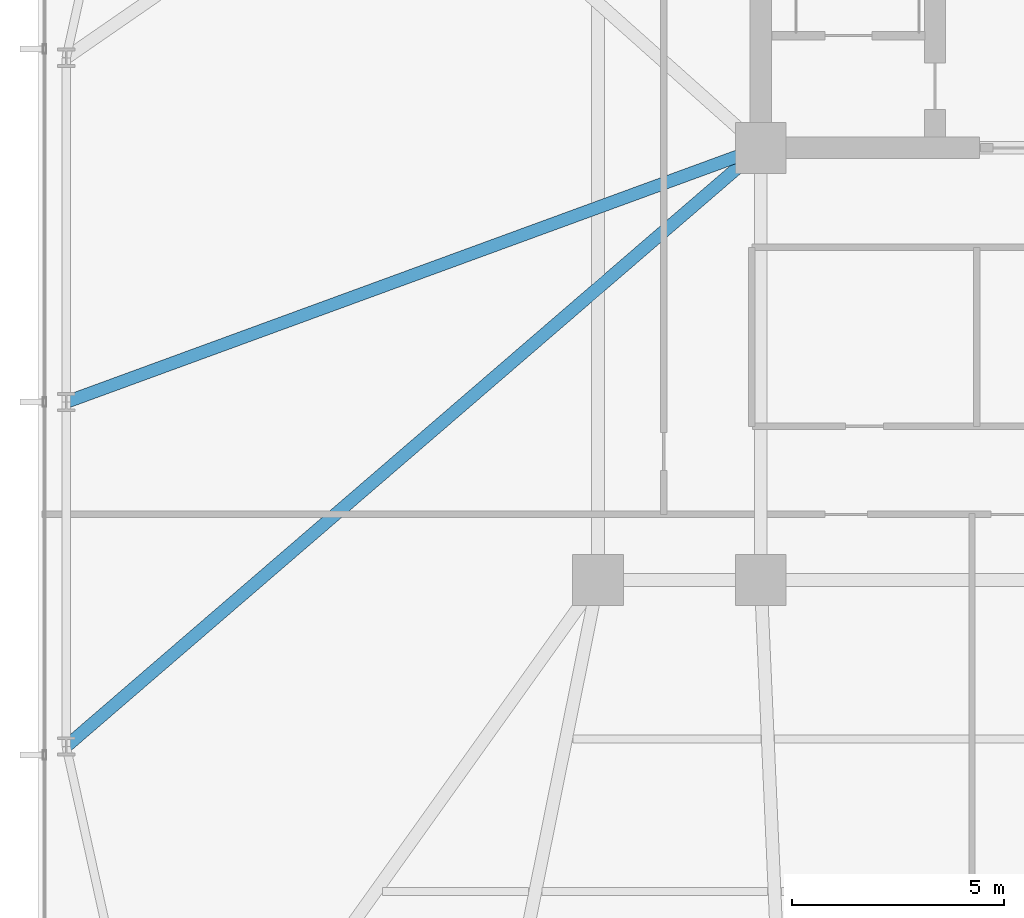
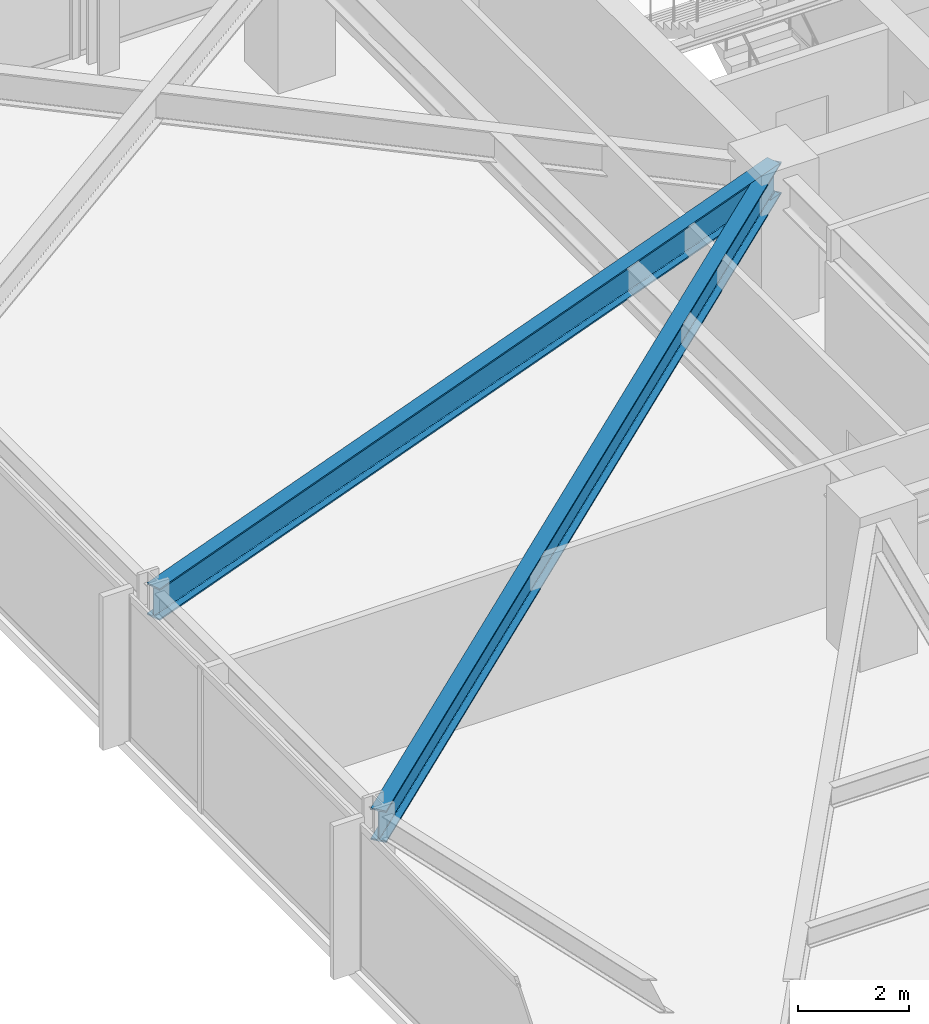
# One storey, part 8 of 32: 2 beams.
"""IFC4 building model written with IfcOpenShell, lengths in metres."""

import ifcopenshell
import ifcopenshell.guid

model = None  # the IFC model being written
_history = None  # IfcOwnerHistory: only IFC2X3 demands one
_inside = {}  # id of a spatial element -> (the spatial element, [elements in it])
_under = {}  # id of a project, library or spatial element -> (it, [spatial elements below it])
_declared = {}  # id of a project -> (the project, [libraries it declares])
_typed = {}  # id of a type object -> (the type object, [elements of that type])
_made_of = {}  # id of a material, layer set ... -> (it, [elements and type objects made of it])


def new_model(schema):
    """Start an empty IFC model of exactly this schema.

    Asked for "IFC4X3", IfcOpenShell would pick the latest addendum, in which some entities
    have other attributes; the version numbers below select the first issue.
    IFC2X3 requires an IfcOwnerHistory on every rooted entity: one is made here for all.
    """
    global model, _history
    if schema == "IFC4X3":
        model = ifcopenshell.file(schema_version=(4, 3, 0, 0))
    else:
        model = ifcopenshell.file(schema=schema)
    _inside.clear()
    _under.clear()
    _declared.clear()
    _typed.clear()
    _made_of.clear()
    _history = None
    if model.schema == "IFC2X3":
        org = make("IfcOrganization", Name="unknown")
        user = make(
            "IfcPersonAndOrganization",
            ThePerson=make("IfcPerson", FamilyName="unknown"),
            TheOrganization=org,
        )
        app = make(
            "IfcApplication",
            ApplicationDeveloper=org,
            Version="unknown",
            ApplicationFullName="unknown",
            ApplicationIdentifier="unknown",
        )
        _history = make(
            "IfcOwnerHistory",
            OwningUser=user,
            OwningApplication=app,
            ChangeAction="ADDED",
            CreationDate=0,
        )
    return model


def make(cls, **values):
    """One entity of the class cls with the attributes given. An attribute that is None is left unset."""
    return model.create_entity(
        cls, **{name: value for name, value in values.items() if value is not None}
    )


def rooted(cls, **values):
    """An entity with a GlobalId (a new one), such as an element, a storey or a relation."""
    return make(cls, GlobalId=ifcopenshell.guid.new(), OwnerHistory=_history, **values)


def si_unit(unit_type, name, prefix=None):
    """IfcSIUnit, for example si_unit("LENGTHUNIT", "METRE", prefix="MILLI")."""
    return make("IfcSIUnit", UnitType=unit_type, Prefix=prefix, Name=name)


def assignment(units):
    """IfcUnitAssignment: the units of a project."""
    return None if units is None else make("IfcUnitAssignment", Units=units)


def point(xyz):
    """IfcCartesianPoint."""
    return None if xyz is None else make("IfcCartesianPoint", Coordinates=xyz)


def direction(xyz):
    """IfcDirection."""
    return None if xyz is None else make("IfcDirection", DirectionRatios=xyz)


def frame(location, z_axis=None, x_axis=None):
    """IfcAxis2Placement3D, a coordinate frame: its origin and axes. An axis left out is left unset."""
    return make(
        "IfcAxis2Placement3D",
        Location=point(location),
        Axis=direction(z_axis),
        RefDirection=direction(x_axis),
    )


def frame_2d(location, x_axis=None):
    """IfcAxis2Placement2D, a coordinate frame in the plane: its origin and x axis."""
    return make(
        "IfcAxis2Placement2D", Location=point(location), RefDirection=direction(x_axis)
    )


def origin():
    """The frame at (0, 0, 0) with its axes left unset."""
    return frame((0.0, 0.0, 0.0))


def origin_2d():
    """The frame at (0, 0) in the plane with its x axis left unset."""
    return frame_2d((0.0, 0.0))


def place(relative_to, where):
    """IfcLocalPlacement: puts the frame where relative to a parent placement (None: the world)."""
    return make(
        "IfcLocalPlacement", PlacementRelTo=relative_to, RelativePlacement=where
    )


def context(
    kind, dimensions, precision=None, world=None, true_north=None, identifier=None
):
    """IfcGeometricRepresentationContext, for example the 3D "Model" context."""
    return make(
        "IfcGeometricRepresentationContext",
        ContextIdentifier=identifier,
        ContextType=kind,
        CoordinateSpaceDimension=dimensions,
        Precision=precision,
        WorldCoordinateSystem=world,
        TrueNorth=true_north,
    )


def subcontext(parent, identifier, kind, view, scale=None):
    """IfcGeometricRepresentationSubContext, for example "Body" below "Model"."""
    return make(
        "IfcGeometricRepresentationSubContext",
        ContextIdentifier=identifier,
        ContextType=kind,
        ParentContext=parent,
        TargetScale=scale,
        TargetView=view,
    )


def project(units=None, contexts=None):
    """IfcProject with its units and contexts."""
    return rooted(
        "IfcProject",
        Name="project",
        RepresentationContexts=contexts,
        UnitsInContext=assignment(units),
    )


def spatial(cls, under=None, at=None, **own):
    """A site, building, storey or space (cls), placed at a placement, below another one or the project."""
    s = rooted(cls, ObjectPlacement=at, **own)
    if under is not None:
        _under.setdefault(under.id(), (under, []))[1].append(s)
    return s


def profile(cls, at=None, kind="AREA", **sizes):
    """A parametric profile (cls). Its sizes go by their IFC names, for example OverallWidth=200.0."""
    return make(cls, ProfileType=kind, Position=at, **sizes)


def i_section(**sizes):
    """IfcIShapeProfileDef."""
    return profile("IfcIShapeProfileDef", **sizes)


def extrude(swept, where, along, depth):
    """IfcExtrudedAreaSolid: the profile swept, set in the frame where, extruded along a direction by depth."""
    return make(
        "IfcExtrudedAreaSolid",
        SweptArea=swept,
        Position=where,
        ExtrudedDirection=direction(along),
        Depth=depth,
    )


def shape(context_of_items, identifier, shape_type, items):
    """IfcShapeRepresentation: the items that make up one representation, for example the "Body"."""
    return make(
        "IfcShapeRepresentation",
        ContextOfItems=context_of_items,
        RepresentationIdentifier=identifier,
        RepresentationType=shape_type,
        Items=items,
    )


def material(Name=None, Category=None):
    """IfcMaterial."""
    return make("IfcMaterial", Name=Name, Category=Category)


def material_profile(
    of_material, cross_section, Name=None, Category=None, Priority=None
):
    """IfcMaterialProfile: a cross section and its material."""
    return make(
        "IfcMaterialProfile",
        Name=Name,
        Material=of_material,
        Profile=cross_section,
        Priority=Priority,
        Category=Category,
    )


def profile_set(profiles, Name=None, composite=None):
    """IfcMaterialProfileSet."""
    return make(
        "IfcMaterialProfileSet",
        Name=Name,
        MaterialProfiles=profiles,
        CompositeProfile=composite,
    )


def made_of(thing, what):
    """Note that an element or type object is made of a material, layer set ...; save() writes the relation."""
    if what is not None:
        _made_of.setdefault(what.id(), (what, []))[1].append(thing)
    return thing


def type_object(cls, material=None, **own):
    """A type object (cls), such as IfcWallType, which elements share."""
    return made_of(rooted(cls, **own), material)


def element(
    cls,
    number,
    at=None,
    inside=None,
    cuts=None,
    type_object=None,
    material=None,
    context=None,
    identifier="Body",
    shape_type=None,
    held_by="IfcProductDefinitionShape",
    body=None,
    shapes=None,
    **own,
):
    """One element of the class cls, such as IfcWall. Its Tag is "e" and its number.

    at: its placement. inside: the storey or other place that contains it. cuts: it is an
    opening in that element (IfcRelVoidsElement). A single representation is given by context,
    identifier, shape_type and body (its items); several are given by shapes. held_by: the class
    of the entity that holds the representations. save() writes the other relations.
    """
    e = rooted(cls, Tag="e%d" % number, ObjectPlacement=at, **own)
    if body is not None:
        shapes = [shape(context, identifier, shape_type, body)]
    if shapes is not None:
        e.Representation = make(held_by, Representations=shapes)
    if inside is not None:
        _inside.setdefault(inside.id(), (inside, []))[1].append(e)
    if cuts is not None:
        rooted(
            "IfcRelVoidsElement", RelatingBuildingElement=cuts, RelatedOpeningElement=e
        )
    if type_object is not None:
        _typed.setdefault(type_object.id(), (type_object, []))[1].append(e)
    return made_of(e, material)


def aggregate(whole, parts):
    """IfcRelAggregates: a whole, such as a stair, and the parts it consists of."""
    return rooted("IfcRelAggregates", RelatingObject=whole, RelatedObjects=parts)


def save(model, path):
    """Write the relations noted so far, then the file.

    IfcRelAggregates (storeys below a building ...), IfcRelContainedInSpatialStructure (elements
    in a storey), IfcRelDefinesByType, IfcRelAssociatesMaterial and IfcRelDeclares: one each for
    every whole, place, type object, material and project.
    """
    for whole, parts in _under.values():
        aggregate(whole, parts)
    for where, things in _inside.values():
        rooted(
            "IfcRelContainedInSpatialStructure",
            RelatedElements=things,
            RelatingStructure=where,
        )
    for kind, things in _typed.values():
        rooted("IfcRelDefinesByType", RelatedObjects=things, RelatingType=kind)
    for what, things in _made_of.values():
        rooted("IfcRelAssociatesMaterial", RelatedObjects=things, RelatingMaterial=what)
    for by, libraries in _declared.values():
        rooted("IfcRelDeclares", RelatingContext=by, RelatedDefinitions=libraries)
    model.write(path)


model = new_model("IFC4")

# Units and contexts
model_context = context("Model", 3, precision=1e-05, world=origin(), true_north=direction((0.0, 1.0)))
body_context = subcontext(model_context, "Body", "Model", "MODEL_VIEW")
ifc_project = project(units=[si_unit("LENGTHUNIT", "METRE"), si_unit("AREAUNIT", "SQUARE_METRE"), si_unit("VOLUMEUNIT", "CUBIC_METRE"), si_unit("PLANEANGLEUNIT", "RADIAN"), si_unit("MASSUNIT", "GRAM", prefix="KILO")], contexts=[model_context])

# Site, building, storey
site_placement = place(None, origin())
site = spatial("IfcSite", under=ifc_project, at=site_placement, CompositionType="ELEMENT")
building_placement = place(site_placement, origin())
building = spatial("IfcBuilding", under=site, at=building_placement, Name="Yelkora Congress Tower", CompositionType="ELEMENT")
storey_placement = place(building_placement, frame((0.0, 0.0, 57.60009765625)))
storey = spatial("IfcBuildingStorey", under=building, at=storey_placement, Name="L14", CompositionType="ELEMENT", Elevation=57.60009765625)

# Beams
ifc_material = material(Name="Steel S355J2", Category="steel")
ifc_material_profile = material_profile(ifc_material, i_section(OverallWidth=0.300048828125, OverallDepth=0.699951171875, WebThickness=0.01708984375, FlangeThickness=0.031982421875, FilletRadius=0.027099609375, at=origin_2d()), Name="HEB 700")
ifc_profile_set = profile_set([ifc_material_profile], Name="Steel S355J2")
beam_type = type_object("IfcBeamType", Name="BM-GIRD-HEB700", PredefinedType="BEAM", material=ifc_profile_set)
beam_1_placement = place(storey_placement, frame((6.64990234375, 21.27490234375, 2.829833984375), z_axis=(0.757511165967, 0.652822206604, 0.0), x_axis=(-0.652822206604, 0.757511165967, 0.0)))
element("IfcBeam", 1, at=beam_1_placement, inside=storey, type_object=beam_type, Name="L14 Primary Frame Girder W01", PredefinedType="BEAM", context=body_context, shape_type="SweptSolid", body=[
    extrude(i_section(OverallWidth=0.300048828125, OverallDepth=0.699951171875, WebThickness=0.01708984375, FlangeThickness=0.031982421875, FilletRadius=0.027099609375, at=origin_2d()), origin(), (0.0, 0.0, 1.0), 21.63671875),
])
beam_2_placement = place(storey_placement, frame((6.64990234375, 29.39990234375, 2.829833984375), z_axis=(0.939056124561, 0.343763865064, 0.0), x_axis=(-0.343763865064, 0.939056124561, 0.0)))
element("IfcBeam", 2, at=beam_2_placement, inside=storey, type_object=beam_type, Name="L14 Primary Frame Girder W02", PredefinedType="BEAM", context=body_context, shape_type="SweptSolid", body=[
    extrude(i_section(OverallWidth=0.300048828125, OverallDepth=0.699951171875, WebThickness=0.01708984375, FlangeThickness=0.031982421875, FilletRadius=0.027099609375, at=origin_2d()), origin(), (0.0, 0.0, 1.0), 17.453857421875),
])

save(model, "model.ifc")
